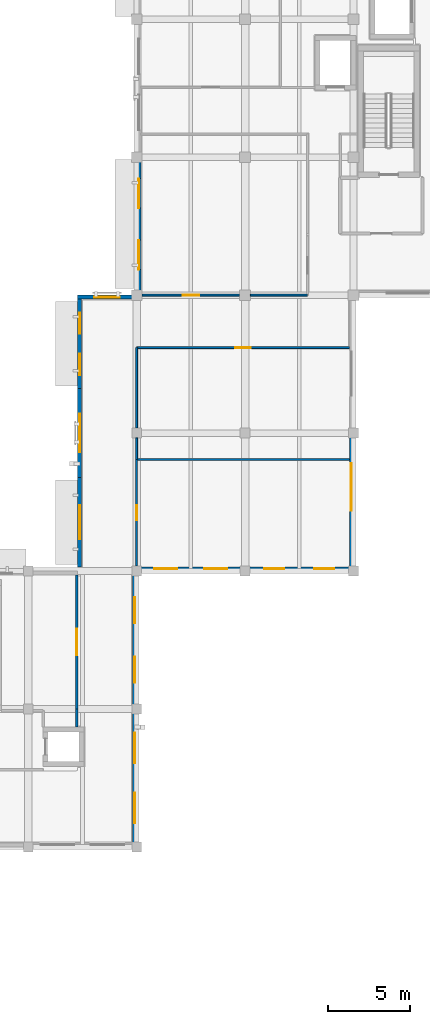
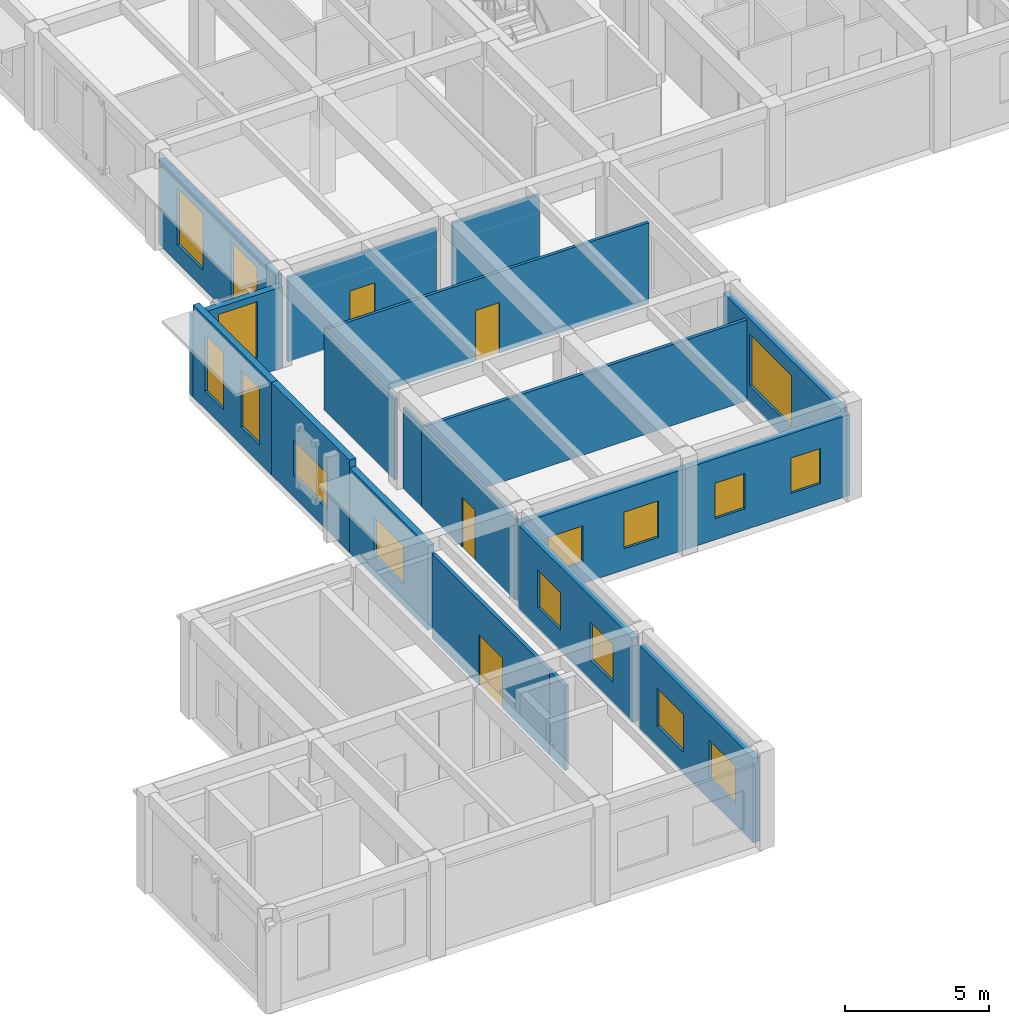
# One storey, part 7 of 14: 19 walls, 16 windows, 4 doors, 20 openings.
"""IFC4 building model written with IfcOpenShell, lengths in metres."""

import ifcopenshell
import ifcopenshell.guid

model = None  # the IFC model being written
_history = None  # IfcOwnerHistory: only IFC2X3 demands one
_inside = {}  # id of a spatial element -> (the spatial element, [elements in it])
_under = {}  # id of a project, library or spatial element -> (it, [spatial elements below it])
_declared = {}  # id of a project -> (the project, [libraries it declares])
_typed = {}  # id of a type object -> (the type object, [elements of that type])
_made_of = {}  # id of a material, layer set ... -> (it, [elements and type objects made of it])


def new_model(schema):
    """Start an empty IFC model of exactly this schema.

    Asked for "IFC4X3", IfcOpenShell would pick the latest addendum, in which some entities
    have other attributes; the version numbers below select the first issue.
    IFC2X3 requires an IfcOwnerHistory on every rooted entity: one is made here for all.
    """
    global model, _history
    if schema == "IFC4X3":
        model = ifcopenshell.file(schema_version=(4, 3, 0, 0))
    else:
        model = ifcopenshell.file(schema=schema)
    _inside.clear()
    _under.clear()
    _declared.clear()
    _typed.clear()
    _made_of.clear()
    _history = None
    if model.schema == "IFC2X3":
        org = make("IfcOrganization", Name="unknown")
        user = make(
            "IfcPersonAndOrganization",
            ThePerson=make("IfcPerson", FamilyName="unknown"),
            TheOrganization=org,
        )
        app = make(
            "IfcApplication",
            ApplicationDeveloper=org,
            Version="unknown",
            ApplicationFullName="unknown",
            ApplicationIdentifier="unknown",
        )
        _history = make(
            "IfcOwnerHistory",
            OwningUser=user,
            OwningApplication=app,
            ChangeAction="ADDED",
            CreationDate=0,
        )
    return model


def make(cls, **values):
    """One entity of the class cls with the attributes given. An attribute that is None is left unset."""
    return model.create_entity(
        cls, **{name: value for name, value in values.items() if value is not None}
    )


def rooted(cls, **values):
    """An entity with a GlobalId (a new one), such as an element, a storey or a relation."""
    return make(cls, GlobalId=ifcopenshell.guid.new(), OwnerHistory=_history, **values)


def si_unit(unit_type, name, prefix=None):
    """IfcSIUnit, for example si_unit("LENGTHUNIT", "METRE", prefix="MILLI")."""
    return make("IfcSIUnit", UnitType=unit_type, Prefix=prefix, Name=name)


def assignment(units):
    """IfcUnitAssignment: the units of a project."""
    return None if units is None else make("IfcUnitAssignment", Units=units)


def point(xyz):
    """IfcCartesianPoint."""
    return None if xyz is None else make("IfcCartesianPoint", Coordinates=xyz)


def direction(xyz):
    """IfcDirection."""
    return None if xyz is None else make("IfcDirection", DirectionRatios=xyz)


def frame(location, z_axis=None, x_axis=None):
    """IfcAxis2Placement3D, a coordinate frame: its origin and axes. An axis left out is left unset."""
    return make(
        "IfcAxis2Placement3D",
        Location=point(location),
        Axis=direction(z_axis),
        RefDirection=direction(x_axis),
    )


def frame_2d(location, x_axis=None):
    """IfcAxis2Placement2D, a coordinate frame in the plane: its origin and x axis."""
    return make(
        "IfcAxis2Placement2D", Location=point(location), RefDirection=direction(x_axis)
    )


def origin():
    """The frame at (0, 0, 0) with its axes left unset."""
    return frame((0.0, 0.0, 0.0))


def place(relative_to, where):
    """IfcLocalPlacement: puts the frame where relative to a parent placement (None: the world)."""
    return make(
        "IfcLocalPlacement", PlacementRelTo=relative_to, RelativePlacement=where
    )


def context(
    kind, dimensions, precision=None, world=None, true_north=None, identifier=None
):
    """IfcGeometricRepresentationContext, for example the 3D "Model" context."""
    return make(
        "IfcGeometricRepresentationContext",
        ContextIdentifier=identifier,
        ContextType=kind,
        CoordinateSpaceDimension=dimensions,
        Precision=precision,
        WorldCoordinateSystem=world,
        TrueNorth=true_north,
    )


def subcontext(parent, identifier, kind, view, scale=None):
    """IfcGeometricRepresentationSubContext, for example "Body" below "Model"."""
    return make(
        "IfcGeometricRepresentationSubContext",
        ContextIdentifier=identifier,
        ContextType=kind,
        ParentContext=parent,
        TargetScale=scale,
        TargetView=view,
    )


def project(units=None, contexts=None):
    """IfcProject with its units and contexts."""
    return rooted(
        "IfcProject",
        Name="project",
        RepresentationContexts=contexts,
        UnitsInContext=assignment(units),
    )


def spatial(cls, under=None, at=None, **own):
    """A site, building, storey or space (cls), placed at a placement, below another one or the project."""
    s = rooted(cls, ObjectPlacement=at, **own)
    if under is not None:
        _under.setdefault(under.id(), (under, []))[1].append(s)
    return s


def profile(cls, at=None, kind="AREA", **sizes):
    """A parametric profile (cls). Its sizes go by their IFC names, for example OverallWidth=200.0."""
    return make(cls, ProfileType=kind, Position=at, **sizes)


def rectangle(**sizes):
    """IfcRectangleProfileDef."""
    return profile("IfcRectangleProfileDef", **sizes)


def extrude(swept, where, along, depth):
    """IfcExtrudedAreaSolid: the profile swept, set in the frame where, extruded along a direction by depth."""
    return make(
        "IfcExtrudedAreaSolid",
        SweptArea=swept,
        Position=where,
        ExtrudedDirection=direction(along),
        Depth=depth,
    )


def shape(context_of_items, identifier, shape_type, items):
    """IfcShapeRepresentation: the items that make up one representation, for example the "Body"."""
    return make(
        "IfcShapeRepresentation",
        ContextOfItems=context_of_items,
        RepresentationIdentifier=identifier,
        RepresentationType=shape_type,
        Items=items,
    )


def material(Name=None, Category=None):
    """IfcMaterial."""
    return make("IfcMaterial", Name=Name, Category=Category)


def layer(
    of_material, thickness, ventilated=None, Name=None, Category=None, Priority=None
):
    """IfcMaterialLayer: one layer of a wall or slab, of a material (None: an air gap)."""
    return make(
        "IfcMaterialLayer",
        Material=of_material,
        LayerThickness=thickness,
        IsVentilated=ventilated,
        Name=Name,
        Category=Category,
        Priority=Priority,
    )


def layer_set(layers, Name=None):
    """IfcMaterialLayerSet."""
    return make("IfcMaterialLayerSet", MaterialLayers=layers, LayerSetName=Name)


def made_of(thing, what):
    """Note that an element or type object is made of a material, layer set ...; save() writes the relation."""
    if what is not None:
        _made_of.setdefault(what.id(), (what, []))[1].append(thing)
    return thing


def type_object(cls, material=None, **own):
    """A type object (cls), such as IfcWallType, which elements share."""
    return made_of(rooted(cls, **own), material)


def element(
    cls,
    number,
    at=None,
    inside=None,
    cuts=None,
    type_object=None,
    material=None,
    context=None,
    identifier="Body",
    shape_type=None,
    held_by="IfcProductDefinitionShape",
    body=None,
    shapes=None,
    **own,
):
    """One element of the class cls, such as IfcWall. Its Tag is "e" and its number.

    at: its placement. inside: the storey or other place that contains it. cuts: it is an
    opening in that element (IfcRelVoidsElement). A single representation is given by context,
    identifier, shape_type and body (its items); several are given by shapes. held_by: the class
    of the entity that holds the representations. save() writes the other relations.
    """
    e = rooted(cls, Tag="e%d" % number, ObjectPlacement=at, **own)
    if body is not None:
        shapes = [shape(context, identifier, shape_type, body)]
    if shapes is not None:
        e.Representation = make(held_by, Representations=shapes)
    if inside is not None:
        _inside.setdefault(inside.id(), (inside, []))[1].append(e)
    if cuts is not None:
        rooted(
            "IfcRelVoidsElement", RelatingBuildingElement=cuts, RelatedOpeningElement=e
        )
    if type_object is not None:
        _typed.setdefault(type_object.id(), (type_object, []))[1].append(e)
    return made_of(e, material)


def fill(opening, filler):
    """IfcRelFillsElement: the door or window that sits in an opening."""
    return rooted(
        "IfcRelFillsElement",
        RelatingOpeningElement=opening,
        RelatedBuildingElement=filler,
    )


def aggregate(whole, parts):
    """IfcRelAggregates: a whole, such as a stair, and the parts it consists of."""
    return rooted("IfcRelAggregates", RelatingObject=whole, RelatedObjects=parts)


def save(model, path):
    """Write the relations noted so far, then the file.

    IfcRelAggregates (storeys below a building ...), IfcRelContainedInSpatialStructure (elements
    in a storey), IfcRelDefinesByType, IfcRelAssociatesMaterial and IfcRelDeclares: one each for
    every whole, place, type object, material and project.
    """
    for whole, parts in _under.values():
        aggregate(whole, parts)
    for where, things in _inside.values():
        rooted(
            "IfcRelContainedInSpatialStructure",
            RelatedElements=things,
            RelatingStructure=where,
        )
    for kind, things in _typed.values():
        rooted("IfcRelDefinesByType", RelatedObjects=things, RelatingType=kind)
    for what, things in _made_of.values():
        rooted("IfcRelAssociatesMaterial", RelatedObjects=things, RelatingMaterial=what)
    for by, libraries in _declared.values():
        rooted("IfcRelDeclares", RelatingContext=by, RelatedDefinitions=libraries)
    model.write(path)


model = new_model("IFC4")

# Units and contexts
model_context = context("Model", 3, precision=1e-05, world=origin(), true_north=direction((0.0, 1.0)))
body_context = subcontext(model_context, "Body", "Model", "MODEL_VIEW")
ifc_project = project(units=[si_unit("LENGTHUNIT", "METRE"), si_unit("AREAUNIT", "SQUARE_METRE"), si_unit("VOLUMEUNIT", "CUBIC_METRE"), si_unit("PLANEANGLEUNIT", "RADIAN"), si_unit("MASSUNIT", "GRAM", prefix="KILO")], contexts=[model_context])

# Site, building, storey
site_placement = place(None, origin())
site = spatial("IfcSite", under=ifc_project, at=site_placement, CompositionType="ELEMENT")
building_placement = place(site_placement, origin())
building = spatial("IfcBuilding", under=site, at=building_placement, Name="Kolvaren Faculty of Natural Sciences", CompositionType="ELEMENT")
storey_placement = place(building_placement, frame((0.0, 0.0, 28.5)))
storey = spatial("IfcBuildingStorey", under=building, at=storey_placement, Name="L06", CompositionType="ELEMENT", Elevation=28.5)

# Wall, opening, door
ifc_material_1 = material(Name="Acoustic mineral-wool insulated gypsum partition")
ifc_layer_1 = layer(ifc_material_1, 0.139892578125)
ifc_layer_set_1 = layer_set([ifc_layer_1], Name="Acoustic mineral-wool insulated gypsum partition")
wall_type_1 = type_object("IfcWallType", Name="CommonsPartitionWall_140", PredefinedType="PARTITIONING", material=ifc_layer_set_1)
wall_1_placement = place(storey_placement, frame((135.14990234375, 41.947998046875, 0.0), z_axis=(0.0, 0.0, 1.0), x_axis=(0.0, -1.0, 0.0)))
wall_1 = element("IfcWall", 1, at=wall_1_placement, inside=storey, type_object=wall_type_1, Name="L06 interior partition PW-140", PredefinedType="PARTITIONING", context=body_context, shape_type="SweptSolid", body=[
    extrude(rectangle(XDim=8.14794921875, YDim=0.139892578125, at=frame_2d((4.073974609375, 0.0))), origin(), (0.0, 0.0, 1.0), 3.5849609375),
])
opening_1_placement = place(wall_1_placement, frame((3.263916015625, 0.0, 0.0)))
opening_1 = element("IfcOpeningElement", 2, at=opening_1_placement, cuts=wall_1, Name="Opening ID-29", PredefinedType="OPENING", context=body_context, shape_type="SweptSolid", body=[
    extrude(rectangle(XDim=1.6201171875, YDim=2.139892578125, at=frame_2d((0.81005859375, 1.06982421875))), frame((0.0, 0.079833984375, 0.0), z_axis=(0.0, -1.0, 0.0), x_axis=(1.0, 0.0, 0.0)), (0.0, 0.0, 1.0), 0.159912109375),
])
ifc_material_2 = material(Name="Thermally broken anodised aluminium glazed door", Category="aluminium")
door_type_1 = type_object("IfcDoorType", Name="InteriorRoomDoor_1620x2140", OperationType="DOUBLE_DOOR_SINGLE_SWING", PredefinedType="DOOR", material=ifc_material_2)
door_1_placement = place(opening_1_placement, origin())
door_1 = element("IfcDoor", 3, at=door_1_placement, inside=storey, type_object=door_type_1, Name="D-L06-0348", OperationType="DOUBLE_DOOR_SINGLE_SWING", OverallHeight=2.139892578125, OverallWidth=1.6201171875, PredefinedType="DOOR", context=body_context, shape_type="SweptSolid", body=[
    extrude(rectangle(XDim=1.6201171875, YDim=2.139892578125, at=frame_2d((0.81005859375, 1.06982421875))), frame((0.0, 0.02490234375, 0.0), z_axis=(0.0, -1.0, 0.0), x_axis=(1.0, 0.0, 0.0)), (0.0, 0.0, 1.0), 0.050048828125),
])
fill(opening_1, door_1)

# Wall
wall_2_placement = place(storey_placement, frame((135.14990234375, 33.800048828125, 0.0), z_axis=(0.0, 0.0, 1.0), x_axis=(0.0, -1.0, 0.0)))
element("IfcWall", 4, at=wall_2_placement, inside=storey, type_object=wall_type_1, Name="L06 interior partition PW-140", PredefinedType="PARTITIONING", context=body_context, shape_type="SweptSolid", body=[
    extrude(rectangle(XDim=1.09814453125, YDim=0.139892578125, at=frame_2d((0.549072265625, 0.0))), origin(), (0.0, 0.0, 1.0), 3.5849609375),
])

# Wall, opening, window
ifc_material_3 = material(Name="Precast concrete C35/45", Category="concrete")
ifc_layer_2 = layer(ifc_material_3, 0.25)
ifc_layer_set_2 = layer_set([ifc_layer_2], Name="Precast concrete C35/45")
wall_type_2 = type_object("IfcWallType", Name="ExteriorTowerWall_250", PredefinedType="STANDARD", material=ifc_layer_set_2)
wall_3_placement = place(storey_placement, frame((135.324951171875, 42.449951171875, 0.0), z_axis=(0.0, 0.0, 1.0), x_axis=(0.0, 1.0, 0.0)))
wall_3 = element("IfcWall", 5, at=wall_3_placement, inside=storey, type_object=wall_type_2, Name="L06 exterior masonry wall EW-250 (685)", PredefinedType="STANDARD", context=body_context, shape_type="SweptSolid", body=[
    extrude(rectangle(XDim=5.433349609375, YDim=0.25, at=frame_2d((2.716796875, 0.0))), origin(), (0.0, 0.0, 1.0), 3.5849609375),
])
opening_2_placement = place(wall_3_placement, frame((1.691650390625, 0.0, 0.89990234375)))
opening_2 = element("IfcOpeningElement", 6, at=opening_2_placement, cuts=wall_3, Name="Opening WIN-17", PredefinedType="OPENING", context=body_context, shape_type="SweptSolid", body=[
    extrude(rectangle(XDim=2.050048828125, YDim=1.64990234375, at=frame_2d((1.02490234375, 0.824951171875))), frame((0.0, 0.135009765625, 0.0), z_axis=(0.0, -1.0, 0.0), x_axis=(1.0, 0.0, 0.0)), (0.0, 0.0, 1.0), 0.27001953125),
])
ifc_material_4 = material(Name="Double low-E solar control insulated glazing", Category="glass")
window_type_1 = type_object("IfcWindowType", Name="AluWindow_WIN17_2050x1650", PartitioningType="SINGLE_PANEL", PredefinedType="WINDOW", material=ifc_material_4)
window_1_placement = place(opening_2_placement, origin())
window_1 = element("IfcWindow", 7, at=window_1_placement, inside=storey, type_object=window_type_1, Name="WIN-L06-0515", OverallHeight=1.64990234375, OverallWidth=2.050048828125, PartitioningType="SINGLE_PANEL", PredefinedType="WINDOW", context=body_context, shape_type="SweptSolid", body=[
    extrude(rectangle(XDim=2.050048828125, YDim=1.64990234375, at=frame_2d((1.02490234375, 0.824951171875))), frame((0.0, 0.030029296875, 0.0), z_axis=(0.0, -1.0, 0.0), x_axis=(1.0, 0.0, 0.0)), (0.0, 0.0, 1.0), 0.06005859375),
])
fill(opening_2, window_1)

wall_4_placement = place(storey_placement, frame((135.324951171875, 47.88330078125, 0.0), z_axis=(0.0, 0.0, 1.0), x_axis=(0.0, 1.0, 0.0)))
wall_4 = element("IfcWall", 8, at=wall_4_placement, inside=storey, type_object=wall_type_2, Name="L06 exterior masonry wall EW-250 (686)", PredefinedType="STANDARD", context=body_context, shape_type="SweptSolid", body=[
    extrude(rectangle(XDim=5.433349609375, YDim=0.25, at=frame_2d((2.716796875, 0.0))), origin(), (0.0, 0.0, 1.0), 3.919921875),
])
opening_3_placement = place(wall_4_placement, frame((1.541748046875, 0.0, 0.89990234375)))
opening_3 = element("IfcOpeningElement", 9, at=opening_3_placement, cuts=wall_4, Name="Opening WIN-18", PredefinedType="OPENING", context=body_context, shape_type="SweptSolid", body=[
    extrude(rectangle(XDim=2.35009765625, YDim=1.5, at=frame_2d((1.175048828125, 0.75))), frame((0.0, 0.135009765625, 0.0), z_axis=(0.0, -1.0, 0.0), x_axis=(1.0, 0.0, 0.0)), (0.0, 0.0, 1.0), 0.27001953125),
])
window_type_2 = type_object("IfcWindowType", Name="AluWindow_WIN18_2350x1500", PartitioningType="SINGLE_PANEL", PredefinedType="WINDOW", material=ifc_material_4)
window_2_placement = place(opening_3_placement, origin())
window_2 = element("IfcWindow", 10, at=window_2_placement, inside=storey, type_object=window_type_2, Name="WIN-L06-0516", OverallHeight=1.5, OverallWidth=2.35009765625, PartitioningType="SINGLE_PANEL", PredefinedType="WINDOW", context=body_context, shape_type="SweptSolid", body=[
    extrude(rectangle(XDim=2.35009765625, YDim=1.5, at=frame_2d((1.175048828125, 0.75))), frame((0.0, 0.030029296875, 0.0), z_axis=(0.0, -1.0, 0.0), x_axis=(1.0, 0.0, 0.0)), (0.0, 0.0, 1.0), 0.06005859375),
])
fill(opening_3, window_2)

# Wall, openings, windows
wall_5_placement = place(storey_placement, frame((135.324951171875, 53.316650390625, 0.0), z_axis=(0.0, 0.0, 1.0), x_axis=(0.0, 1.0, 0.0)))
wall_5 = element("IfcWall", 11, at=wall_5_placement, inside=storey, type_object=wall_type_2, Name="L06 exterior masonry wall EW-250 (687)", PredefinedType="STANDARD", context=body_context, shape_type="SweptSolid", body=[
    extrude(rectangle(XDim=5.433349609375, YDim=0.25, at=frame_2d((2.716796875, 0.0))), origin(), (0.0, 0.0, 1.0), 3.919921875),
])
opening_4_placement = place(wall_5_placement, frame((0.81689453125, 0.0, 0.75)))
opening_4 = element("IfcOpeningElement", 12, at=opening_4_placement, cuts=wall_5, Name="Opening WIN-19", PredefinedType="OPENING", context=body_context, shape_type="SweptSolid", body=[
    extrude(rectangle(XDim=1.300048828125, YDim=2.39990234375, at=frame_2d((0.64990234375, 1.199951171875))), frame((0.0, 0.135009765625, 0.0), z_axis=(0.0, -1.0, 0.0), x_axis=(1.0, 0.0, 0.0)), (0.0, 0.0, 1.0), 0.27001953125),
])
opening_5_placement = place(wall_5_placement, frame((3.31640625, 0.0, 0.75)))
opening_5 = element("IfcOpeningElement", 13, at=opening_5_placement, cuts=wall_5, Name="Opening WIN-19", PredefinedType="OPENING", context=body_context, shape_type="SweptSolid", body=[
    extrude(rectangle(XDim=1.300048828125, YDim=2.39990234375, at=frame_2d((0.64990234375, 1.199951171875))), frame((0.0, 0.135009765625, 0.0), z_axis=(0.0, -1.0, 0.0), x_axis=(1.0, 0.0, 0.0)), (0.0, 0.0, 1.0), 0.27001953125),
])
window_type_3 = type_object("IfcWindowType", Name="AluWindow_WIN19_1300x2400", PartitioningType="SINGLE_PANEL", PredefinedType="WINDOW", material=ifc_material_4)
window_3_placement = place(opening_4_placement, origin())
window_3 = element("IfcWindow", 14, at=window_3_placement, inside=storey, type_object=window_type_3, Name="WIN-L06-0517", OverallHeight=2.39990234375, OverallWidth=1.300048828125, PartitioningType="SINGLE_PANEL", PredefinedType="WINDOW", context=body_context, shape_type="SweptSolid", body=[
    extrude(rectangle(XDim=1.300048828125, YDim=2.39990234375, at=frame_2d((0.64990234375, 1.199951171875))), frame((0.0, 0.030029296875, 0.0), z_axis=(0.0, -1.0, 0.0), x_axis=(1.0, 0.0, 0.0)), (0.0, 0.0, 1.0), 0.06005859375),
])
fill(opening_4, window_3)
window_4_placement = place(opening_5_placement, origin())
window_4 = element("IfcWindow", 15, at=window_4_placement, inside=storey, type_object=window_type_3, Name="WIN-L06-0518", OverallHeight=2.39990234375, OverallWidth=1.300048828125, PartitioningType="SINGLE_PANEL", PredefinedType="WINDOW", context=body_context, shape_type="SweptSolid", body=[
    extrude(rectangle(XDim=1.300048828125, YDim=2.39990234375, at=frame_2d((0.64990234375, 1.199951171875))), frame((0.0, 0.030029296875, 0.0), z_axis=(0.0, -1.0, 0.0), x_axis=(1.0, 0.0, 0.0)), (0.0, 0.0, 1.0), 0.06005859375),
])
fill(opening_5, window_4)

# Wall, opening, window
wall_6_placement = place(storey_placement, frame((135.199951171875, 58.875, 0.0), z_axis=(0.0, 0.0, 1.0), x_axis=(1.0, 0.0, 0.0)))
wall_6 = element("IfcWall", 16, at=wall_6_placement, inside=storey, type_object=wall_type_2, Name="L06 exterior masonry wall EW-250 (688)", PredefinedType="STANDARD", context=body_context, shape_type="SweptSolid", body=[
    extrude(rectangle(XDim=3.60009765625, YDim=0.25, at=frame_2d((1.800048828125, 0.0))), origin(), (0.0, 0.0, 1.0), 3.43505859375),
])
opening_6_placement = place(wall_6_placement, frame((1.02490234375, 0.0, 0.75)))
opening_6 = element("IfcOpeningElement", 17, at=opening_6_placement, cuts=wall_6, Name="Opening WIN-20", PredefinedType="OPENING", context=body_context, shape_type="SweptSolid", body=[
    extrude(rectangle(XDim=1.550048828125, YDim=2.39990234375, at=frame_2d((0.77490234375, 1.199951171875))), frame((0.0, 0.135009765625, 0.0), z_axis=(0.0, -1.0, 0.0), x_axis=(1.0, 0.0, 0.0)), (0.0, 0.0, 1.0), 0.27001953125),
])
window_type_4 = type_object("IfcWindowType", Name="AluWindow_WIN20_1550x2400", PartitioningType="SINGLE_PANEL", PredefinedType="WINDOW", material=ifc_material_4)
window_5_placement = place(opening_6_placement, origin())
window_5 = element("IfcWindow", 18, at=window_5_placement, inside=storey, type_object=window_type_4, Name="WIN-L06-0519", OverallHeight=2.39990234375, OverallWidth=1.550048828125, PartitioningType="SINGLE_PANEL", PredefinedType="WINDOW", context=body_context, shape_type="SweptSolid", body=[
    extrude(rectangle(XDim=1.550048828125, YDim=2.39990234375, at=frame_2d((0.77490234375, 1.199951171875))), frame((0.0, 0.030029296875, 0.0), z_axis=(0.0, -1.0, 0.0), x_axis=(1.0, 0.0, 0.0)), (0.0, 0.0, 1.0), 0.06005859375),
])
fill(opening_6, window_5)

# Wall, openings, windows
wall_7_placement = place(storey_placement, frame((138.925048828125, 59.25, 0.0), z_axis=(0.0, 0.0, 1.0), x_axis=(0.0, 1.0, 0.0)))
wall_7 = element("IfcWall", 19, at=wall_7_placement, inside=storey, type_object=wall_type_2, Name="L06 exterior masonry wall EW-250 (689)", PredefinedType="STANDARD", context=body_context, shape_type="SweptSolid", body=[
    extrude(rectangle(XDim=8.14990234375, YDim=0.25, at=frame_2d((4.074951171875, 0.0))), origin(), (0.0, 0.0, 1.0), 3.5849609375),
])
opening_7_placement = place(wall_7_placement, frame((1.300537109375, 0.0, 0.75)))
opening_7 = element("IfcOpeningElement", 20, at=opening_7_placement, cuts=wall_7, Name="Opening WIN-21", PredefinedType="OPENING", context=body_context, shape_type="SweptSolid", body=[
    extrude(rectangle(XDim=1.800048828125, YDim=2.39990234375, at=frame_2d((0.89990234375, 1.199951171875))), frame((0.0, 0.135009765625, 0.0), z_axis=(0.0, -1.0, 0.0), x_axis=(1.0, 0.0, 0.0)), (0.0, 0.0, 1.0), 0.27001953125),
])
opening_8_placement = place(wall_7_placement, frame((5.049560546875, 0.0, 0.75)))
opening_8 = element("IfcOpeningElement", 21, at=opening_8_placement, cuts=wall_7, Name="Opening WIN-21", PredefinedType="OPENING", context=body_context, shape_type="SweptSolid", body=[
    extrude(rectangle(XDim=1.800048828125, YDim=2.39990234375, at=frame_2d((0.89990234375, 1.199951171875))), frame((0.0, 0.135009765625, 0.0), z_axis=(0.0, -1.0, 0.0), x_axis=(1.0, 0.0, 0.0)), (0.0, 0.0, 1.0), 0.27001953125),
])
window_type_5 = type_object("IfcWindowType", Name="AluWindow_WIN21_1800x2400", PartitioningType="SINGLE_PANEL", PredefinedType="WINDOW", material=ifc_material_4)
window_6_placement = place(opening_7_placement, origin())
window_6 = element("IfcWindow", 22, at=window_6_placement, inside=storey, type_object=window_type_5, Name="WIN-L06-0520", OverallHeight=2.39990234375, OverallWidth=1.800048828125, PartitioningType="SINGLE_PANEL", PredefinedType="WINDOW", context=body_context, shape_type="SweptSolid", body=[
    extrude(rectangle(XDim=1.800048828125, YDim=2.39990234375, at=frame_2d((0.89990234375, 1.199951171875))), frame((0.0, 0.030029296875, 0.0), z_axis=(0.0, -1.0, 0.0), x_axis=(1.0, 0.0, 0.0)), (0.0, 0.0, 1.0), 0.06005859375),
])
fill(opening_7, window_6)
window_7_placement = place(opening_8_placement, origin())
window_7 = element("IfcWindow", 23, at=window_7_placement, inside=storey, type_object=window_type_5, Name="WIN-L06-0521", OverallHeight=2.39990234375, OverallWidth=1.800048828125, PartitioningType="SINGLE_PANEL", PredefinedType="WINDOW", context=body_context, shape_type="SweptSolid", body=[
    extrude(rectangle(XDim=1.800048828125, YDim=2.39990234375, at=frame_2d((0.89990234375, 1.199951171875))), frame((0.0, 0.030029296875, 0.0), z_axis=(0.0, -1.0, 0.0), x_axis=(1.0, 0.0, 0.0)), (0.0, 0.0, 1.0), 0.06005859375),
])
fill(opening_8, window_7)

# Wall, opening, window
wall_8_placement = place(storey_placement, frame((151.875, 50.60009765625, 0.0), z_axis=(0.0, 0.0, 1.0), x_axis=(0.0, -1.0, 0.0)))
wall_8 = element("IfcWall", 24, at=wall_8_placement, inside=storey, type_object=wall_type_2, Name="L06 exterior masonry wall EW-250 (704)", PredefinedType="STANDARD", context=body_context, shape_type="SweptSolid", body=[
    extrude(rectangle(XDim=8.150146484375, YDim=0.25, at=frame_2d((4.0751953125, 0.0))), origin(), (0.0, 0.0, 1.0), 3.5849609375),
])
opening_9_placement = place(wall_8_placement, frame((1.840087890625, 0.0, 0.75)))
opening_9 = element("IfcOpeningElement", 25, at=opening_9_placement, cuts=wall_8, Name="Opening WIN-12", PredefinedType="OPENING", context=body_context, shape_type="SweptSolid", body=[
    extrude(rectangle(XDim=2.89990234375, YDim=2.199951171875, at=frame_2d((1.449951171875, 1.10009765625))), frame((0.0, 0.135009765625, 0.0), z_axis=(0.0, -1.0, 0.0), x_axis=(1.0, 0.0, 0.0)), (0.0, 0.0, 1.0), 0.27001953125),
])
window_type_6 = type_object("IfcWindowType", Name="AluWindow_WIN12_2900x2200", PartitioningType="SINGLE_PANEL", PredefinedType="WINDOW", material=ifc_material_4)
window_8_placement = place(opening_9_placement, origin())
window_8 = element("IfcWindow", 26, at=window_8_placement, inside=storey, type_object=window_type_6, Name="WIN-L06-0544", OverallHeight=2.199951171875, OverallWidth=2.89990234375, PartitioningType="SINGLE_PANEL", PredefinedType="WINDOW", context=body_context, shape_type="SweptSolid", body=[
    extrude(rectangle(XDim=2.89990234375, YDim=2.199951171875, at=frame_2d((1.449951171875, 1.10009765625))), frame((0.0, 0.030029296875, 0.0), z_axis=(0.0, -1.0, 0.0), x_axis=(1.0, 0.0, 0.0)), (0.0, 0.0, 1.0), 0.06005859375),
])
fill(opening_9, window_8)

# Wall, openings, windows
wall_9_placement = place(storey_placement, frame((152.0, 42.324951171875, 0.0), z_axis=(0.0, 0.0, 1.0), x_axis=(-1.0, 0.0, 0.0)))
wall_9 = element("IfcWall", 27, at=wall_9_placement, inside=storey, type_object=wall_type_2, Name="L06 exterior masonry wall EW-250 (705)", PredefinedType="STANDARD", context=body_context, shape_type="SweptSolid", body=[
    extrude(rectangle(XDim=6.60009765625, YDim=0.25, at=frame_2d((3.300048828125, 0.0))), origin(), (0.0, 0.0, 1.0), 3.43505859375),
])
opening_10_placement = place(wall_9_placement, frame((1.181884765625, 0.0, 0.89990234375)))
opening_10 = element("IfcOpeningElement", 28, at=opening_10_placement, cuts=wall_9, Name="Opening WIN-13", PredefinedType="OPENING", context=body_context, shape_type="SweptSolid", body=[
    extrude(rectangle(XDim=1.199951171875, YDim=1.5, at=frame_2d((0.60009765625, 0.75))), frame((0.0, 0.135009765625, 0.0), z_axis=(0.0, -1.0, 0.0), x_axis=(1.0, 0.0, 0.0)), (0.0, 0.0, 1.0), 0.27001953125),
])
opening_11_placement = place(wall_9_placement, frame((4.218017578125, 0.0, 0.89990234375)))
opening_11 = element("IfcOpeningElement", 29, at=opening_11_placement, cuts=wall_9, Name="Opening WIN-13", PredefinedType="OPENING", context=body_context, shape_type="SweptSolid", body=[
    extrude(rectangle(XDim=1.199951171875, YDim=1.5, at=frame_2d((0.60009765625, 0.75))), frame((0.0, 0.135009765625, 0.0), z_axis=(0.0, -1.0, 0.0), x_axis=(1.0, 0.0, 0.0)), (0.0, 0.0, 1.0), 0.27001953125),
])
window_type_7 = type_object("IfcWindowType", Name="AluWindow_WIN13_1200x1500", PartitioningType="SINGLE_PANEL", PredefinedType="WINDOW", material=ifc_material_4)
window_9_placement = place(opening_10_placement, origin())
window_9 = element("IfcWindow", 30, at=window_9_placement, inside=storey, type_object=window_type_7, Name="WIN-L06-0545", OverallHeight=1.5, OverallWidth=1.199951171875, PartitioningType="SINGLE_PANEL", PredefinedType="WINDOW", context=body_context, shape_type="SweptSolid", body=[
    extrude(rectangle(XDim=1.199951171875, YDim=1.5, at=frame_2d((0.60009765625, 0.75))), frame((0.0, 0.030029296875, 0.0), z_axis=(0.0, -1.0, 0.0), x_axis=(1.0, 0.0, 0.0)), (0.0, 0.0, 1.0), 0.06005859375),
])
fill(opening_10, window_9)
window_10_placement = place(opening_11_placement, origin())
window_10 = element("IfcWindow", 31, at=window_10_placement, inside=storey, type_object=window_type_7, Name="WIN-L06-0546", OverallHeight=1.5, OverallWidth=1.199951171875, PartitioningType="SINGLE_PANEL", PredefinedType="WINDOW", context=body_context, shape_type="SweptSolid", body=[
    extrude(rectangle(XDim=1.199951171875, YDim=1.5, at=frame_2d((0.60009765625, 0.75))), frame((0.0, 0.030029296875, 0.0), z_axis=(0.0, -1.0, 0.0), x_axis=(1.0, 0.0, 0.0)), (0.0, 0.0, 1.0), 0.06005859375),
])
fill(opening_11, window_10)

wall_10_placement = place(storey_placement, frame((145.39990234375, 42.324951171875, 0.0), z_axis=(0.0, 0.0, 1.0), x_axis=(-1.0, 0.0, 0.0)))
wall_10 = element("IfcWall", 32, at=wall_10_placement, inside=storey, type_object=wall_type_2, Name="L06 exterior masonry wall EW-250 (706)", PredefinedType="STANDARD", context=body_context, shape_type="SweptSolid", body=[
    extrude(rectangle(XDim=6.599853515625, YDim=0.25, at=frame_2d((3.2998046875, 0.0))), origin(), (0.0, 0.0, 1.0), 3.43505859375),
])
opening_12_placement = place(wall_10_placement, frame((1.08203125, 0.0, 0.89990234375)))
opening_12 = element("IfcOpeningElement", 33, at=opening_12_placement, cuts=wall_10, Name="Opening WIN-14", PredefinedType="OPENING", context=body_context, shape_type="SweptSolid", body=[
    extrude(rectangle(XDim=1.39990234375, YDim=1.550048828125, at=frame_2d((0.699951171875, 0.77490234375))), frame((0.0, 0.135009765625, 0.0), z_axis=(0.0, -1.0, 0.0), x_axis=(1.0, 0.0, 0.0)), (0.0, 0.0, 1.0), 0.27001953125),
])
opening_13_placement = place(wall_10_placement, frame((4.117919921875, 0.0, 0.89990234375)))
opening_13 = element("IfcOpeningElement", 34, at=opening_13_placement, cuts=wall_10, Name="Opening WIN-14", PredefinedType="OPENING", context=body_context, shape_type="SweptSolid", body=[
    extrude(rectangle(XDim=1.39990234375, YDim=1.550048828125, at=frame_2d((0.699951171875, 0.77490234375))), frame((0.0, 0.135009765625, 0.0), z_axis=(0.0, -1.0, 0.0), x_axis=(1.0, 0.0, 0.0)), (0.0, 0.0, 1.0), 0.27001953125),
])
window_type_8 = type_object("IfcWindowType", Name="AluWindow_WIN14_1400x1550", PartitioningType="SINGLE_PANEL", PredefinedType="WINDOW", material=ifc_material_4)
window_11_placement = place(opening_12_placement, origin())
window_11 = element("IfcWindow", 35, at=window_11_placement, inside=storey, type_object=window_type_8, Name="WIN-L06-0547", OverallHeight=1.550048828125, OverallWidth=1.39990234375, PartitioningType="SINGLE_PANEL", PredefinedType="WINDOW", context=body_context, shape_type="SweptSolid", body=[
    extrude(rectangle(XDim=1.39990234375, YDim=1.550048828125, at=frame_2d((0.699951171875, 0.77490234375))), frame((0.0, 0.030029296875, 0.0), z_axis=(0.0, -1.0, 0.0), x_axis=(1.0, 0.0, 0.0)), (0.0, 0.0, 1.0), 0.06005859375),
])
fill(opening_12, window_11)
window_12_placement = place(opening_13_placement, origin())
window_12 = element("IfcWindow", 36, at=window_12_placement, inside=storey, type_object=window_type_8, Name="WIN-L06-0548", OverallHeight=1.550048828125, OverallWidth=1.39990234375, PartitioningType="SINGLE_PANEL", PredefinedType="WINDOW", context=body_context, shape_type="SweptSolid", body=[
    extrude(rectangle(XDim=1.39990234375, YDim=1.550048828125, at=frame_2d((0.699951171875, 0.77490234375))), frame((0.0, 0.030029296875, 0.0), z_axis=(0.0, -1.0, 0.0), x_axis=(1.0, 0.0, 0.0)), (0.0, 0.0, 1.0), 0.06005859375),
])
fill(opening_13, window_12)

wall_11_placement = place(storey_placement, frame((138.675048828125, 41.949951171875, 0.0), z_axis=(0.0, 0.0, 1.0), x_axis=(0.0, -1.0, 0.0)))
wall_11 = element("IfcWall", 37, at=wall_11_placement, inside=storey, type_object=wall_type_2, Name="L06 exterior masonry wall EW-250 (707)", PredefinedType="STANDARD", context=body_context, shape_type="SweptSolid", body=[
    extrude(rectangle(XDim=7.89990234375, YDim=0.25, at=frame_2d((3.949951171875, 0.0))), origin(), (0.0, 0.0, 1.0), 3.5849609375),
])
opening_14_placement = place(wall_11_placement, frame((1.3330078125, 0.0, 0.89990234375)))
opening_14 = element("IfcOpeningElement", 38, at=opening_14_placement, cuts=wall_11, Name="Opening WIN-15", PredefinedType="OPENING", context=body_context, shape_type="SweptSolid", body=[
    extrude(rectangle(XDim=1.60009765625, YDim=1.60009765625, at=frame_2d((0.800048828125, 0.800048828125))), frame((0.0, 0.135009765625, 0.0), z_axis=(0.0, -1.0, 0.0), x_axis=(1.0, 0.0, 0.0)), (0.0, 0.0, 1.0), 0.27001953125),
])
opening_15_placement = place(wall_11_placement, frame((4.967041015625, 0.0, 0.89990234375)))
opening_15 = element("IfcOpeningElement", 39, at=opening_15_placement, cuts=wall_11, Name="Opening WIN-15", PredefinedType="OPENING", context=body_context, shape_type="SweptSolid", body=[
    extrude(rectangle(XDim=1.60009765625, YDim=1.60009765625, at=frame_2d((0.800048828125, 0.800048828125))), frame((0.0, 0.135009765625, 0.0), z_axis=(0.0, -1.0, 0.0), x_axis=(1.0, 0.0, 0.0)), (0.0, 0.0, 1.0), 0.27001953125),
])
window_type_9 = type_object("IfcWindowType", Name="AluWindow_WIN15_1600x1600", PartitioningType="SINGLE_PANEL", PredefinedType="WINDOW", material=ifc_material_4)
window_13_placement = place(opening_14_placement, origin())
window_13 = element("IfcWindow", 40, at=window_13_placement, inside=storey, type_object=window_type_9, Name="WIN-L06-0549", OverallHeight=1.60009765625, OverallWidth=1.60009765625, PartitioningType="SINGLE_PANEL", PredefinedType="WINDOW", context=body_context, shape_type="SweptSolid", body=[
    extrude(rectangle(XDim=1.60009765625, YDim=1.60009765625, at=frame_2d((0.800048828125, 0.800048828125))), frame((0.0, 0.030029296875, 0.0), z_axis=(0.0, -1.0, 0.0), x_axis=(1.0, 0.0, 0.0)), (0.0, 0.0, 1.0), 0.06005859375),
])
fill(opening_14, window_13)
window_14_placement = place(opening_15_placement, origin())
window_14 = element("IfcWindow", 41, at=window_14_placement, inside=storey, type_object=window_type_9, Name="WIN-L06-0550", OverallHeight=1.60009765625, OverallWidth=1.60009765625, PartitioningType="SINGLE_PANEL", PredefinedType="WINDOW", context=body_context, shape_type="SweptSolid", body=[
    extrude(rectangle(XDim=1.60009765625, YDim=1.60009765625, at=frame_2d((0.800048828125, 0.800048828125))), frame((0.0, 0.030029296875, 0.0), z_axis=(0.0, -1.0, 0.0), x_axis=(1.0, 0.0, 0.0)), (0.0, 0.0, 1.0), 0.06005859375),
])
fill(opening_15, window_14)

wall_12_placement = place(storey_placement, frame((138.675048828125, 33.550048828125, 0.0), z_axis=(0.0, 0.0, 1.0), x_axis=(0.0, -1.0, 0.0)))
wall_12 = element("IfcWall", 42, at=wall_12_placement, inside=storey, type_object=wall_type_2, Name="L06 exterior masonry wall EW-250 (708)", PredefinedType="STANDARD", context=body_context, shape_type="SweptSolid", body=[
    extrude(rectangle(XDim=7.900146484375, YDim=0.25, at=frame_2d((3.9501953125, 0.0))), origin(), (0.0, 0.0, 1.0), 3.5849609375),
])
opening_16_placement = place(wall_12_placement, frame((1.2080078125, 0.0, 0.89990234375)))
opening_16 = element("IfcOpeningElement", 43, at=opening_16_placement, cuts=wall_12, Name="Opening WIN-16", PredefinedType="OPENING", context=body_context, shape_type="SweptSolid", body=[
    extrude(rectangle(XDim=1.85009765625, YDim=1.60009765625, at=frame_2d((0.925048828125, 0.800048828125))), frame((0.0, 0.135009765625, 0.0), z_axis=(0.0, -1.0, 0.0), x_axis=(1.0, 0.0, 0.0)), (0.0, 0.0, 1.0), 0.27001953125),
])
opening_17_placement = place(wall_12_placement, frame((4.842041015625, 0.0, 0.89990234375)))
opening_17 = element("IfcOpeningElement", 44, at=opening_17_placement, cuts=wall_12, Name="Opening WIN-16", PredefinedType="OPENING", context=body_context, shape_type="SweptSolid", body=[
    extrude(rectangle(XDim=1.85009765625, YDim=1.60009765625, at=frame_2d((0.925048828125, 0.800048828125))), frame((0.0, 0.135009765625, 0.0), z_axis=(0.0, -1.0, 0.0), x_axis=(1.0, 0.0, 0.0)), (0.0, 0.0, 1.0), 0.27001953125),
])
window_type_10 = type_object("IfcWindowType", Name="AluWindow_WIN16_1850x1600", PartitioningType="SINGLE_PANEL", PredefinedType="WINDOW", material=ifc_material_4)
window_15_placement = place(opening_16_placement, origin())
window_15 = element("IfcWindow", 45, at=window_15_placement, inside=storey, type_object=window_type_10, Name="WIN-L06-0551", OverallHeight=1.60009765625, OverallWidth=1.85009765625, PartitioningType="SINGLE_PANEL", PredefinedType="WINDOW", context=body_context, shape_type="SweptSolid", body=[
    extrude(rectangle(XDim=1.85009765625, YDim=1.60009765625, at=frame_2d((0.925048828125, 0.800048828125))), frame((0.0, 0.030029296875, 0.0), z_axis=(0.0, -1.0, 0.0), x_axis=(1.0, 0.0, 0.0)), (0.0, 0.0, 1.0), 0.06005859375),
])
fill(opening_16, window_15)
window_16_placement = place(opening_17_placement, origin())
window_16 = element("IfcWindow", 46, at=window_16_placement, inside=storey, type_object=window_type_10, Name="WIN-L06-0552", OverallHeight=1.60009765625, OverallWidth=1.85009765625, PartitioningType="SINGLE_PANEL", PredefinedType="WINDOW", context=body_context, shape_type="SweptSolid", body=[
    extrude(rectangle(XDim=1.85009765625, YDim=1.60009765625, at=frame_2d((0.925048828125, 0.800048828125))), frame((0.0, 0.030029296875, 0.0), z_axis=(0.0, -1.0, 0.0), x_axis=(1.0, 0.0, 0.0)), (0.0, 0.0, 1.0), 0.06005859375),
])
fill(opening_17, window_16)

# Wall, opening, door
ifc_layer_3 = layer(ifc_material_1, 0.1298828125)
ifc_layer_set_3 = layer_set([ifc_layer_3], Name="Acoustic mineral-wool insulated gypsum partition")
wall_type_3 = type_object("IfcWallType", Name="OfficePartitionWall_130", PredefinedType="PARTITIONING", material=ifc_layer_set_3)
wall_13_placement = place(storey_placement, frame((138.800048828125, 42.5, 0.0), z_axis=(0.0, 0.0, 1.0), x_axis=(0.0, 1.0, 0.0)))
wall_13 = element("IfcWall", 47, at=wall_13_placement, inside=storey, type_object=wall_type_3, Name="L06 interior partition PW-130", PredefinedType="PARTITIONING", context=body_context, shape_type="SweptSolid", body=[
    extrude(rectangle(XDim=6.5, YDim=0.1298828125, at=frame_2d((3.25, 0.0))), origin(), (0.0, 0.0, 1.0), 3.43505859375),
])
opening_18_placement = place(wall_13_placement, frame((2.7900390625, 0.0, 0.0)))
opening_18 = element("IfcOpeningElement", 48, at=opening_18_placement, cuts=wall_13, Name="Opening ID-19", PredefinedType="OPENING", context=body_context, shape_type="SweptSolid", body=[
    extrude(rectangle(XDim=0.919921875, YDim=2.139892578125, at=frame_2d((0.4599609375, 1.06982421875))), frame((0.0, 0.074951171875, 0.0), z_axis=(0.0, -1.0, 0.0), x_axis=(1.0, 0.0, 0.0)), (0.0, 0.0, 1.0), 0.14990234375),
])
ifc_material_5 = material(Name="Solid-core hardwood veneer door leaf in steel frame", Category="steel")
door_type_2 = type_object("IfcDoorType", Name="InteriorRoomDoor_920x2140", OperationType="NOTDEFINED", PredefinedType="DOOR", material=ifc_material_5)
door_2_placement = place(opening_18_placement, origin())
door_2 = element("IfcDoor", 49, at=door_2_placement, inside=storey, type_object=door_type_2, Name="D-L06-0336", OperationType="SINGLE_SWING_RIGHT", OverallHeight=2.139892578125, OverallWidth=0.919921875, PredefinedType="DOOR", context=body_context, shape_type="SweptSolid", body=[
    extrude(rectangle(XDim=0.919921875, YDim=2.139892578125, at=frame_2d((0.4599609375, 1.06982421875))), frame((0.0, 0.02490234375, 0.0), z_axis=(0.0, -1.0, 0.0), x_axis=(1.0, 0.0, 0.0)), (0.0, 0.0, 1.0), 0.050048828125),
])
fill(opening_18, door_2)

# Walls
wall_14_placement = place(storey_placement, frame((138.800048828125, 49.0, 0.0), z_axis=(0.0, 0.0, 1.0), x_axis=(1.0, 0.0, 0.0)))
element("IfcWall", 50, at=wall_14_placement, inside=storey, type_object=wall_type_3, Name="L06 interior partition PW-130", PredefinedType="PARTITIONING", context=body_context, shape_type="SweptSolid", body=[
    extrude(rectangle(XDim=12.947998046875, YDim=0.1298828125, at=frame_2d((6.47412109375, 0.0))), origin(), (0.0, 0.0, 1.0), 3.43505859375),
])
ifc_layer_4 = layer(ifc_material_1, 0.114990234375)
ifc_layer_set_4 = layer_set([ifc_layer_4], Name="Acoustic mineral-wool insulated gypsum partition")
wall_type_4 = type_object("IfcWallType", Name="StorePartitionWall_115", PredefinedType="PARTITIONING", material=ifc_layer_set_4)
wall_15_placement = place(storey_placement, frame((149.199951171875, 59.0, 0.0), z_axis=(0.0, 0.0, 1.0), x_axis=(-1.0, 0.0, 0.0)))
element("IfcWall", 51, at=wall_15_placement, inside=storey, type_object=wall_type_4, Name="L06 interior partition PW-115", PredefinedType="PARTITIONING", context=body_context, shape_type="SweptSolid", body=[
    extrude(rectangle(XDim=3.474853515625, YDim=0.114990234375, at=frame_2d((1.7373046875, 0.0))), origin(), (0.0, 0.0, 1.0), 3.5849609375),
])

# Wall, opening, door
wall_16_placement = place(storey_placement, frame((145.074951171875, 59.0, 0.0), z_axis=(0.0, 0.0, 1.0), x_axis=(-1.0, 0.0, 0.0)))
wall_16 = element("IfcWall", 52, at=wall_16_placement, inside=storey, type_object=wall_type_4, Name="L06 interior partition PW-115", PredefinedType="PARTITIONING", context=body_context, shape_type="SweptSolid", body=[
    extrude(rectangle(XDim=5.949951171875, YDim=0.114990234375, at=frame_2d((2.97509765625, 0.0))), origin(), (0.0, 0.0, 1.0), 3.5849609375),
])
opening_19_placement = place(wall_16_placement, frame((2.469970703125, 0.0, 0.0)))
opening_19 = element("IfcOpeningElement", 53, at=opening_19_placement, cuts=wall_16, Name="Opening ID-21", PredefinedType="OPENING", context=body_context, shape_type="SweptSolid", body=[
    extrude(rectangle(XDim=1.010009765625, YDim=2.139892578125, at=frame_2d((0.5048828125, 1.06982421875))), frame((0.0, 0.0673828125, 0.0), z_axis=(0.0, -1.0, 0.0), x_axis=(1.0, 0.0, 0.0)), (0.0, 0.0, 1.0), 0.135009765625),
])
door_type_3 = type_object("IfcDoorType", Name="InteriorRoomDoor_1010x2140", OperationType="NOTDEFINED", PredefinedType="DOOR", material=ifc_material_5)
door_3_placement = place(opening_19_placement, origin())
door_3 = element("IfcDoor", 54, at=door_3_placement, inside=storey, type_object=door_type_3, Name="D-L06-0338", OperationType="SINGLE_SWING_RIGHT", OverallHeight=2.139892578125, OverallWidth=1.010009765625, PredefinedType="DOOR", context=body_context, shape_type="SweptSolid", body=[
    extrude(rectangle(XDim=1.010009765625, YDim=2.139892578125, at=frame_2d((0.5048828125, 1.06982421875))), frame((0.0, 0.02490234375, 0.0), z_axis=(0.0, -1.0, 0.0), x_axis=(1.0, 0.0, 0.0)), (0.0, 0.0, 1.0), 0.050048828125),
])
fill(opening_19, door_3)

ifc_layer_5 = layer(ifc_material_1, 0.1201171875)
ifc_layer_set_5 = layer_set([ifc_layer_5], Name="Acoustic mineral-wool insulated gypsum partition")
wall_type_5 = type_object("IfcWallType", Name="StudioPartitionWall_120", PredefinedType="PARTITIONING", material=ifc_layer_set_5)
wall_17_placement = place(storey_placement, frame((138.800048828125, 55.800048828125, 0.0), z_axis=(0.0, 0.0, 1.0), x_axis=(1.0, 0.0, 0.0)))
wall_17 = element("IfcWall", 55, at=wall_17_placement, inside=storey, type_object=wall_type_5, Name="L06 interior partition PW-120", PredefinedType="PARTITIONING", context=body_context, shape_type="SweptSolid", body=[
    extrude(rectangle(XDim=12.947998046875, YDim=0.1201171875, at=frame_2d((6.47412109375, 0.0))), origin(), (0.0, 0.0, 1.0), 3.43505859375),
])
opening_20_placement = place(wall_17_placement, frame((5.993896484375, 0.0, 0.0)))
opening_20 = element("IfcOpeningElement", 56, at=opening_20_placement, cuts=wall_17, Name="Opening ID-20", PredefinedType="OPENING", context=body_context, shape_type="SweptSolid", body=[
    extrude(rectangle(XDim=0.9599609375, YDim=2.139892578125, at=frame_2d((0.47998046875, 1.06982421875))), frame((0.0, 0.070068359375, 0.0), z_axis=(0.0, -1.0, 0.0), x_axis=(1.0, 0.0, 0.0)), (0.0, 0.0, 1.0), 0.14013671875),
])
door_type_4 = type_object("IfcDoorType", Name="InteriorRoomDoor_960x2140", OperationType="NOTDEFINED", PredefinedType="DOOR", material=ifc_material_5)
door_4_placement = place(opening_20_placement, origin())
door_4 = element("IfcDoor", 57, at=door_4_placement, inside=storey, type_object=door_type_4, Name="D-L06-0337", OperationType="SINGLE_SWING_LEFT", OverallHeight=2.139892578125, OverallWidth=0.9599609375, PredefinedType="DOOR", context=body_context, shape_type="SweptSolid", body=[
    extrude(rectangle(XDim=0.9599609375, YDim=2.139892578125, at=frame_2d((0.47998046875, 1.06982421875))), frame((0.0, 0.02490234375, 0.0), z_axis=(0.0, -1.0, 0.0), x_axis=(1.0, 0.0, 0.0)), (0.0, 0.0, 1.0), 0.050048828125),
])
fill(opening_20, door_4)

# Walls
wall_18_placement = place(storey_placement, frame((138.800048828125, 49.0, 0.0), z_axis=(0.0, 0.0, 1.0), x_axis=(0.0, 1.0, 0.0)))
element("IfcWall", 58, at=wall_18_placement, inside=storey, type_object=wall_type_5, Name="L06 interior partition PW-120", PredefinedType="PARTITIONING", context=body_context, shape_type="SweptSolid", body=[
    extrude(rectangle(XDim=1.300048828125, YDim=0.1201171875, at=frame_2d((0.64990234375, 0.0))), origin(), (0.0, 0.0, 1.0), 3.43505859375),
])
wall_19_placement = place(storey_placement, frame((138.800048828125, 50.89990234375, 0.0), z_axis=(0.0, 0.0, 1.0), x_axis=(0.0, 1.0, 0.0)))
element("IfcWall", 59, at=wall_19_placement, inside=storey, type_object=wall_type_5, Name="L06 interior partition PW-120", PredefinedType="PARTITIONING", context=body_context, shape_type="SweptSolid", body=[
    extrude(rectangle(XDim=4.900146484375, YDim=0.1201171875, at=frame_2d((2.4501953125, 0.0))), origin(), (0.0, 0.0, 1.0), 3.43505859375),
])

save(model, "model.ifc")
